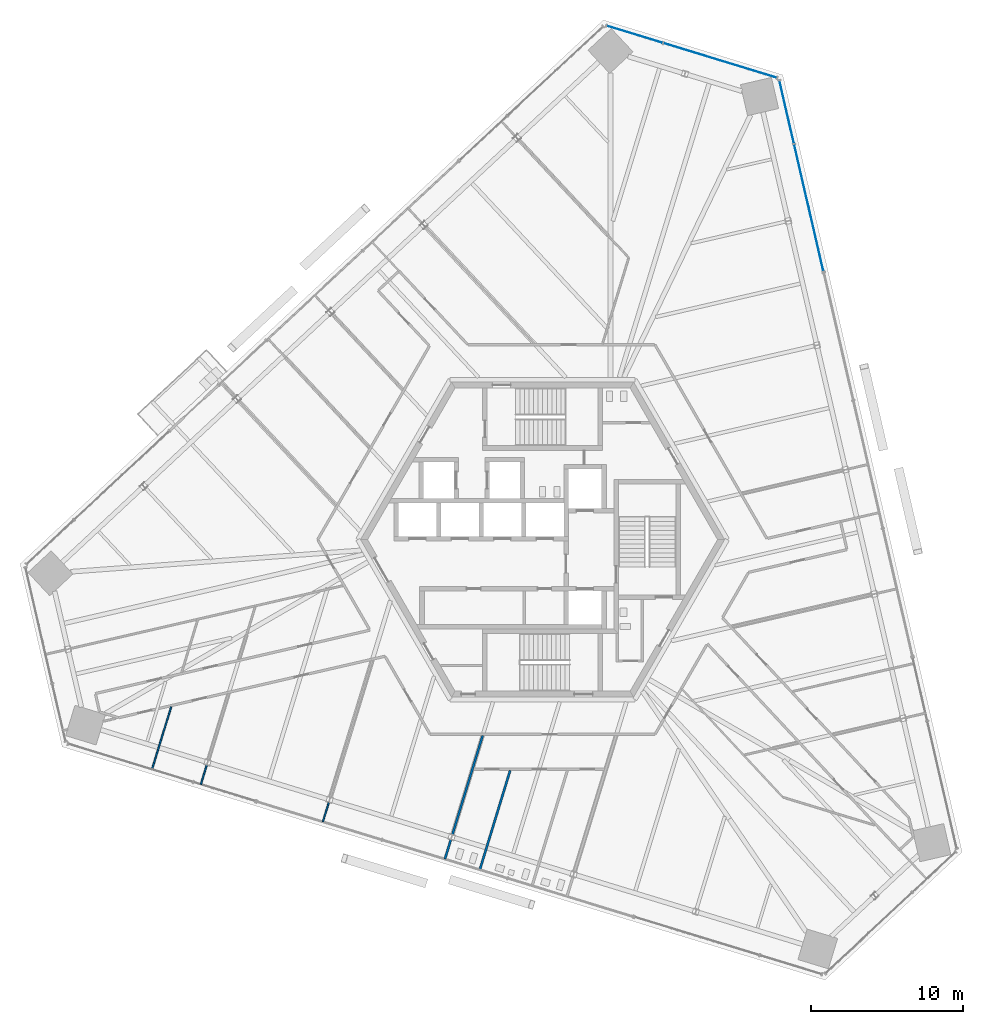
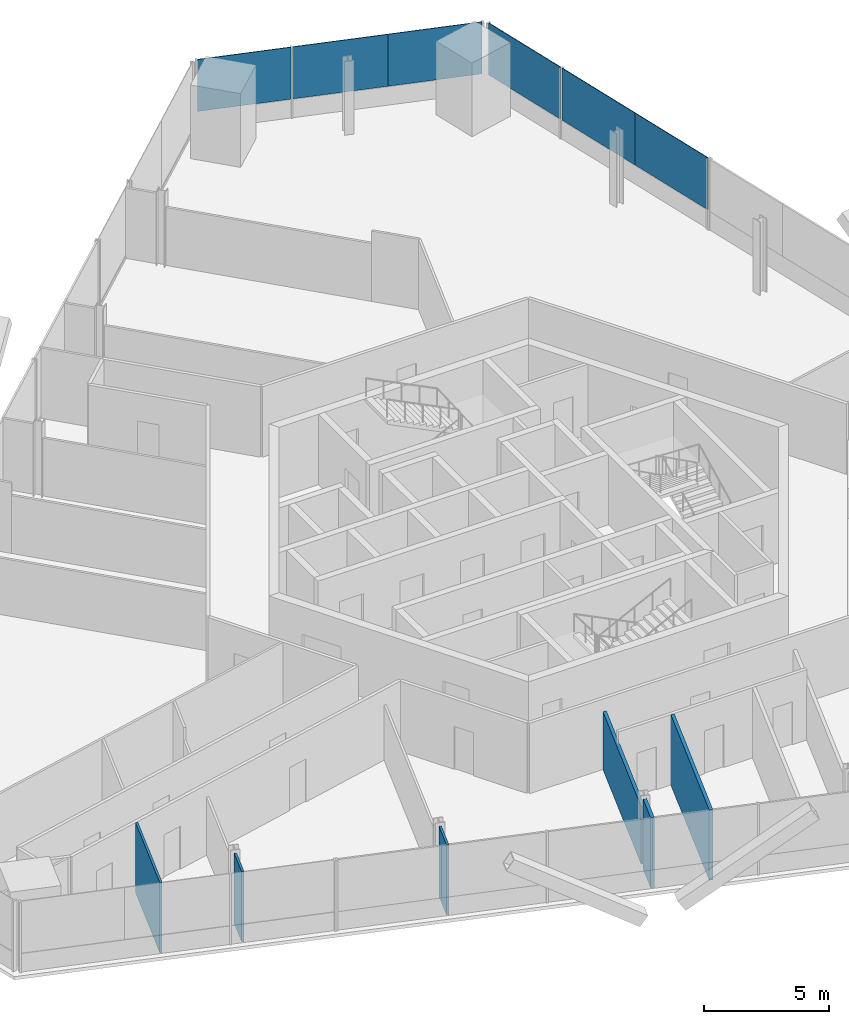
# One storey, part 11 of 20: 6 plates, 6 walls, 2 elements without a shape of their own.
"""IFC4 building model written with IfcOpenShell, lengths in metres."""

from ifc_helpers import new_model, si_unit, direction, frame, frame_2d, origin, origin_2d, place, context, subcontext, project, spatial, rectangle, extrude, source, transform, mapped, material, layer, layer_set, type_object, element, aggregate, save


model = new_model("IFC4")

# Units and contexts
model_context = context("Model", 3, precision=1e-05, world=origin(), true_north=direction((0.0, 1.0)))
body_context = subcontext(model_context, "Body", "Model", "MODEL_VIEW")
ifc_project = project(units=[si_unit("LENGTHUNIT", "METRE"), si_unit("AREAUNIT", "SQUARE_METRE"), si_unit("VOLUMEUNIT", "CUBIC_METRE"), si_unit("PLANEANGLEUNIT", "RADIAN"), si_unit("MASSUNIT", "GRAM", prefix="KILO")], contexts=[model_context])

# Site, building, storey
site_placement = place(None, origin())
site = spatial("IfcSite", under=ifc_project, at=site_placement, CompositionType="ELEMENT")
building_placement = place(site_placement, origin())
building = spatial("IfcBuilding", under=site, at=building_placement, Name="Triune Harvest Tower", CompositionType="ELEMENT")
storey_placement = place(building_placement, frame((0.0, 0.0, 116.300048828125)))
storey = spatial("IfcBuildingStorey", under=building, at=storey_placement, Name="L29", CompositionType="ELEMENT", Elevation=116.300048828125)

# Curtain wall, plates
ifc_material_1 = material(Name="Aluminium bronze anodised", Category="aluminium")
curtain_wall_type = type_object("IfcCurtainWallType", Name="CW-1 Tower stick curtain wall", PredefinedType="NOTDEFINED", material=ifc_material_1)
curtain_wall_1_placement = place(storey_placement, origin())
curtain_wall_1 = element("IfcCurtainWall", 1, at=curtain_wall_1_placement, inside=storey, type_object=curtain_wall_type, Name="CW-1 B3-F2 L29 run 1")
ifc_material_2 = material(Name="Glass", Category="glass")
ifc_layer_1 = layer(ifc_material_2, 0.031982421875)
ifc_layer_set_1 = layer_set([ifc_layer_1], Name="Glass")
plate_type = type_object("IfcPlateType", Name="GL-1 panel 32", PredefinedType="CURTAIN_PANEL", material=ifc_layer_set_1)
shared_shape_1 = source(origin(), body_context, "Body", "SweptSolid", [
    extrude(rectangle(XDim=3.8740234375, YDim=0.031982421875, at=origin_2d()), origin(), (0.0, 0.0, 1.0), 2.5400390625),
])
plate_1_placement = place(storey_placement, frame((13.573974609375, 31.01953125, 0.89990234375), z_axis=(0.0, 0.0, 1.0), x_axis=(-0.956303148607, 0.292376962095, 0.0)))
plate_1 = element("IfcPlate", 2, at=plate_1_placement, type_object=plate_type, Name="CW-1 panel B3-F2 1.1", PredefinedType="CURTAIN_PANEL", context=body_context, shape_type="MappedRepresentation", body=[
    mapped(shared_shape_1, transform((0.0, 0.0, 0.0), scale=1.0)),
])
shared_shape_2 = source(origin(), body_context, "Body", "SweptSolid", [
    extrude(rectangle(XDim=3.911376953125, YDim=0.031982421875, at=origin_2d()), origin(), (0.0, 0.0, 1.0), 2.5400390625),
])
plate_2_placement = place(storey_placement, frame((9.851318359375, 32.15771484375, 0.89990234375), z_axis=(0.0, 0.0, 1.0), x_axis=(-0.956303148607, 0.292376962095, 0.0)))
plate_2 = element("IfcPlate", 3, at=plate_2_placement, type_object=plate_type, Name="CW-1 panel B3-F2 1.2", PredefinedType="CURTAIN_PANEL", context=body_context, shape_type="MappedRepresentation", body=[
    mapped(shared_shape_2, transform((0.0, 0.0, 0.0), scale=1.0)),
])
shared_shape_3 = source(origin(), body_context, "Body", "SweptSolid", [
    extrude(rectangle(XDim=3.83642578125, YDim=0.031982421875, at=origin_2d()), origin(), (0.0, 0.0, 1.0), 2.5400390625),
])
plate_3_placement = place(storey_placement, frame((6.07470703125, 33.312255859375, 0.89990234375), z_axis=(0.0, 0.0, 1.0), x_axis=(-0.956303148607, 0.292376962095, 0.0)))
plate_3 = element("IfcPlate", 4, at=plate_3_placement, type_object=plate_type, Name="CW-1 panel B3-F2 1.3", PredefinedType="CURTAIN_PANEL", context=body_context, shape_type="MappedRepresentation", body=[
    mapped(shared_shape_3, transform((0.0, 0.0, 0.0), scale=1.0)),
])
aggregate(curtain_wall_1, [plate_1, plate_2, plate_3])

curtain_wall_2_placement = place(storey_placement, origin())
curtain_wall_2 = element("IfcCurtainWall", 5, at=curtain_wall_2_placement, inside=storey, type_object=curtain_wall_type, Name="CW-1 B3-F1 L29 run 2001")
shared_shape_4 = source(origin(), body_context, "Body", "SweptSolid", [
    extrude(rectangle(XDim=4.263427734375, YDim=0.031982421875, at=origin_2d()), origin(), (0.0, 0.0, 1.0), 2.5400390625),
])
plate_4_placement = place(storey_placement, frame((18.03564453125, 19.785888671875, 0.89990234375), z_axis=(0.0, 0.0, 1.0), x_axis=(-0.22495089959, 0.974370100513, 0.0)))
plate_4 = element("IfcPlate", 6, at=plate_4_placement, type_object=plate_type, Name="CW-1 panel B3-F1 2001.1", PredefinedType="CURTAIN_PANEL", context=body_context, shape_type="MappedRepresentation", body=[
    mapped(shared_shape_4, transform((0.0, 0.0, 0.0), scale=1.0)),
])
shared_shape_5 = source(origin(), body_context, "Body", "SweptSolid", [
    extrude(rectangle(XDim=4.30078125, YDim=0.031982421875, at=origin_2d()), origin(), (0.0, 0.0, 1.0), 2.5400390625),
])
plate_5_placement = place(storey_placement, frame((17.072265625, 23.958251953125, 0.89990234375), z_axis=(0.0, 0.0, 1.0), x_axis=(-0.22495089959, 0.974370100513, 0.0)))
plate_5 = element("IfcPlate", 7, at=plate_5_placement, type_object=plate_type, Name="CW-1 panel B3-F1 2001.2", PredefinedType="CURTAIN_PANEL", context=body_context, shape_type="MappedRepresentation", body=[
    mapped(shared_shape_5, transform((0.0, 0.0, 0.0), scale=1.0)),
])
shared_shape_6 = source(origin(), body_context, "Body", "SweptSolid", [
    extrude(rectangle(XDim=4.225830078125, YDim=0.031982421875, at=origin_2d()), origin(), (0.0, 0.0, 1.0), 2.5400390625),
])
plate_6_placement = place(storey_placement, frame((16.096435546875, 28.185546875, 0.89990234375), z_axis=(0.0, 0.0, 1.0), x_axis=(-0.22495089959, 0.974370100513, 0.0)))
plate_6 = element("IfcPlate", 8, at=plate_6_placement, type_object=plate_type, Name="CW-1 panel B3-F1 2001.3", PredefinedType="CURTAIN_PANEL", context=body_context, shape_type="MappedRepresentation", body=[
    mapped(shared_shape_6, transform((0.0, 0.0, 0.0), scale=1.0)),
])
aggregate(curtain_wall_2, [plate_4, plate_5, plate_6])

# Walls
ifc_material_3 = material(Name="Gypsum board on steel studs", Category="steel")
ifc_layer_2 = layer(ifc_material_3, 0.10009765625)
ifc_layer_set_2 = layer_set([ifc_layer_2], Name="Gypsum board on steel studs")
wall_type_1 = type_object("IfcWallType", Name="Partition 100 mm", PredefinedType="PARTITIONING", material=ifc_layer_set_2)
wall_1_placement = place(storey_placement, frame((-25.75146484375, -15.15771484375, 0.0), z_axis=(0.0, 0.0, 1.0), x_axis=(0.292373610438, 0.956304173325, 0.0)))
element("IfcWall", 9, at=wall_1_placement, inside=storey, type_object=wall_type_1, Name="Partition L29 062", PredefinedType="PARTITIONING", context=body_context, shape_type="SweptSolid", body=[
    extrude(rectangle(XDim=4.319580078125, YDim=0.10009765625, at=frame_2d((2.15966796875, 0.0))), origin(), (0.0, 0.0, 1.0), 3.43994140625),
])
shared_shape_7 = source(origin(), body_context, "Body", "SweptSolid", [
    extrude(rectangle(XDim=1.338134765625, YDim=0.10009765625, at=frame_2d((0.6689453125, 0.0))), origin(), (0.0, 0.0, 1.0), 3.43994140625),
])
wall_2_placement = place(storey_placement, frame((-22.53271484375, -16.1416015625, 0.0), z_axis=(0.0, 0.0, 1.0), x_axis=(0.29226488494, 0.956337407525, 0.0)))
element("IfcWall", 10, at=wall_2_placement, inside=storey, type_object=wall_type_1, Name="Partition L29 059", PredefinedType="PARTITIONING", context=body_context, shape_type="MappedRepresentation", body=[
    mapped(shared_shape_7, transform((0.0, 0.0, 0.0), scale=1.0)),
])
shared_shape_8 = source(origin(), body_context, "Body", "SweptSolid", [
    extrude(rectangle(XDim=1.33837890625, YDim=0.10009765625, at=frame_2d((0.669189453125, 0.0))), origin(), (0.0, 0.0, 1.0), 3.43994140625),
])
wall_3_placement = place(storey_placement, frame((-14.486083984375, -18.601806640625, 0.0), z_axis=(0.0, 0.0, 1.0), x_axis=(0.292431725513, 0.956286403706, 0.0)))
element("IfcWall", 11, at=wall_3_placement, inside=storey, type_object=wall_type_1, Name="Partition L29 057", PredefinedType="PARTITIONING", context=body_context, shape_type="MappedRepresentation", body=[
    mapped(shared_shape_8, transform((0.0, 0.0, 0.0), scale=1.0)),
])
ifc_material_4 = material(Name="Gypsum board on steel studs", Category="steel")
ifc_layer_3 = layer(ifc_material_4, 0.14990234375)
ifc_layer_set_3 = layer_set([ifc_layer_3], Name="Gypsum board on steel studs")
wall_type_2 = type_object("IfcWallType", Name="Fire Partition 150 mm", PredefinedType="PARTITIONING", material=ifc_layer_set_3)
shared_shape_9 = source(origin(), body_context, "Body", "SweptSolid", [
    extrude(rectangle(XDim=6.845458984375, YDim=0.14990234375, at=frame_2d((3.4228515625, 0.0))), origin(), (0.0, 0.0, 1.0), 3.43994140625),
])
wall_4_placement = place(storey_placement, frame((-4.138671875, -21.76513671875, 0.0), z_axis=(0.0, 0.0, 1.0), x_axis=(0.292376189619, 0.956303384781, 0.0)))
element("IfcWall", 12, at=wall_4_placement, inside=storey, type_object=wall_type_2, Name="Partition L29 053", PredefinedType="PARTITIONING", context=body_context, shape_type="MappedRepresentation", body=[
    mapped(shared_shape_9, transform((0.0, 0.0, 0.0), scale=1.0)),
])
shared_shape_10 = source(origin(), body_context, "Body", "SweptSolid", [
    extrude(rectangle(XDim=1.338134765625, YDim=0.14990234375, at=frame_2d((0.6689453125, 0.0))), origin(), (0.0, 0.0, 1.0), 3.43994140625),
])
wall_5_placement = place(storey_placement, frame((-6.439208984375, -21.061767578125, 0.0), z_axis=(0.0, 0.0, 1.0), x_axis=(0.29226488494, 0.956337407525, 0.0)))
element("IfcWall", 13, at=wall_5_placement, inside=storey, type_object=wall_type_2, Name="Partition L29 054", PredefinedType="PARTITIONING", context=body_context, shape_type="MappedRepresentation", body=[
    mapped(shared_shape_10, transform((0.0, 0.0, 0.0), scale=1.0)),
])
shared_shape_11 = source(origin(), body_context, "Body", "SweptSolid", [
    extrude(rectangle(XDim=6.816162109375, YDim=0.14990234375, at=frame_2d((3.408203125, 0.0))), origin(), (0.0, 0.0, 1.0), 2.82763671875),
])
wall_6_placement = place(storey_placement, frame((-5.9423828125, -19.43701171875, 0.0), z_axis=(0.0, 0.0, 1.0), x_axis=(0.292348661629, 0.95631180064, 0.0)))
element("IfcWall", 14, at=wall_6_placement, inside=storey, type_object=wall_type_2, Name="Partition L29 055", PredefinedType="PARTITIONING", context=body_context, shape_type="MappedRepresentation", body=[
    mapped(shared_shape_11, transform((0.0, 0.0, 0.0), scale=1.0)),
])

save(model, "model.ifc")
